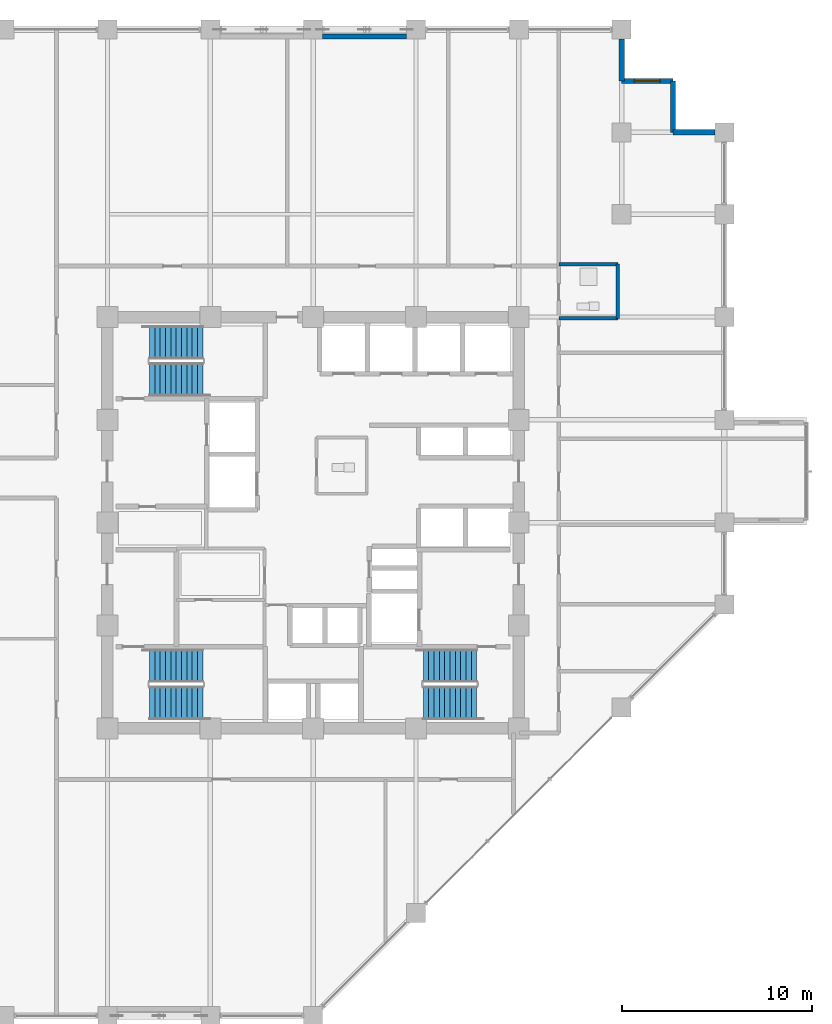
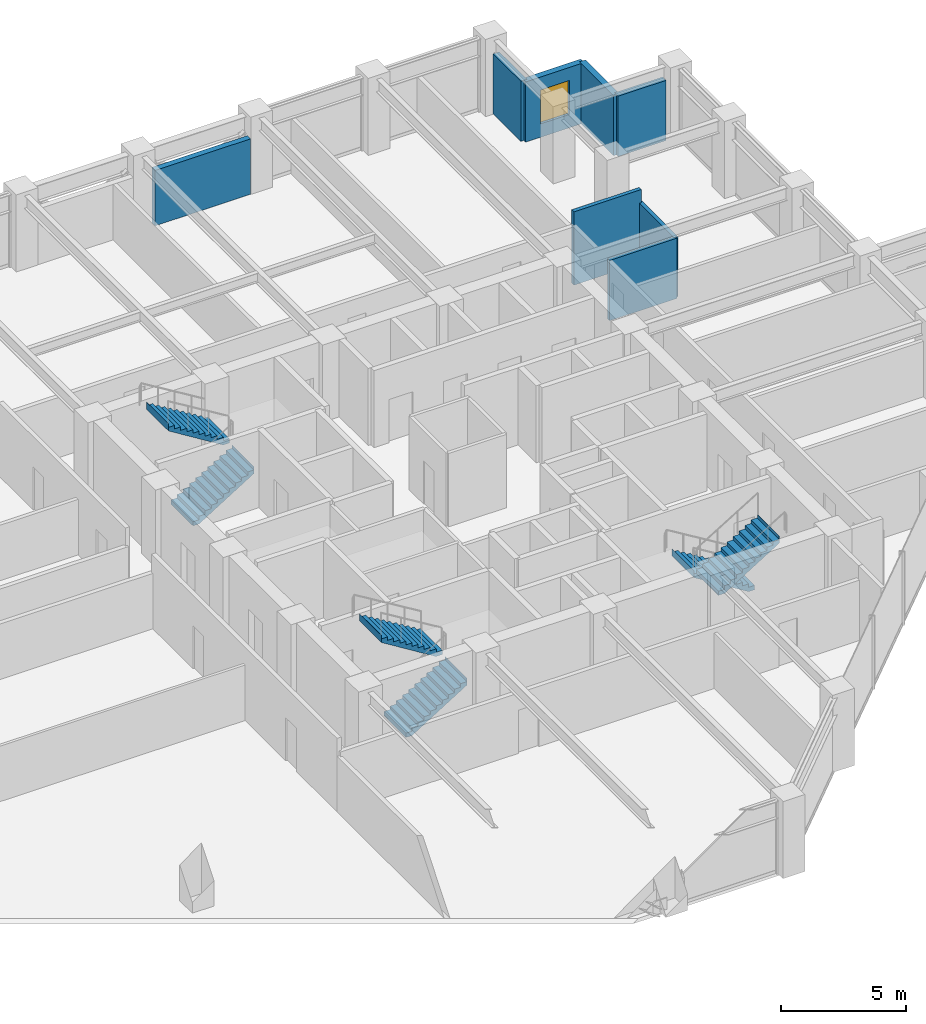
# One storey, part 22 of 26: 8 walls, 6 stair flights, 1 window, 1 opening, 3 elements without a shape of their own.
"""IFC4 building model written with IfcOpenShell, lengths in metres."""

from ifc_helpers import new_model, si_unit, direction, frame, frame_2d, origin, place, context, subcontext, project, spatial, polyline, rectangle, outline, extrude, material, layer, layer_set, type_object, element, fill, aggregate, save


model = new_model("IFC4")

# Units and contexts
model_context = context("Model", 3, precision=1e-05, world=origin(), true_north=direction((0.0, 1.0)))
body_context = subcontext(model_context, "Body", "Model", "MODEL_VIEW")
ifc_project = project(units=[si_unit("LENGTHUNIT", "METRE"), si_unit("AREAUNIT", "SQUARE_METRE"), si_unit("VOLUMEUNIT", "CUBIC_METRE"), si_unit("PLANEANGLEUNIT", "RADIAN"), si_unit("MASSUNIT", "GRAM", prefix="KILO")], contexts=[model_context])

# Site, building, storey
site_placement = place(None, origin())
site = spatial("IfcSite", under=ifc_project, at=site_placement, CompositionType="ELEMENT")
building_placement = place(site_placement, origin())
building = spatial("IfcBuilding", under=site, at=building_placement, Name="Surkhivell Harbour Commons", CompositionType="ELEMENT")
storey_placement = place(building_placement, frame((0.0, 0.0, 147.0)))
storey = spatial("IfcBuildingStorey", under=building, at=storey_placement, Name="L38", CompositionType="ELEMENT", Elevation=147.0)

# Walls
ifc_material_1 = material(Name="Pale-metal insulated precast concrete C45/55", Category="concrete")
ifc_layer_1 = layer(ifc_material_1, 0.260009765625)
ifc_layer_set_1 = layer_set([ifc_layer_1], Name="Pale-metal insulated precast concrete C45/55")
wall_type_1 = type_object("IfcWallType", Name="WAL-EXT-MTL260", PredefinedType="STANDARD", material=ifc_layer_set_1)
wall_1_placement = place(storey_placement, frame((4.902099609375, 25.5400390625, 0.0), z_axis=(0.0, 0.0, 1.0), x_axis=(-1.0, 0.0, 0.0)))
element("IfcWall", 1, at=wall_1_placement, inside=storey, type_object=wall_type_1, Name="L38 Braced-Bay Insulated Spandrel Backing N2", PredefinedType="STANDARD", context=body_context, shape_type="SweptSolid", body=[
    extrude(rectangle(XDim=4.404052734375, YDim=0.260009765625, at=frame_2d((2.2021484375, 0.0))), origin(), (0.0, 0.0, 1.0), 2.698974609375),
])
ifc_material_2 = material(Name="Terracotta-clad reinforced concrete C45/55", Category="masonry")
ifc_layer_2 = layer(ifc_material_2, 0.280029296875)
ifc_layer_set_2 = layer_set([ifc_layer_2], Name="Terracotta-clad reinforced concrete C45/55")
wall_type_2 = type_object("IfcWallType", Name="WAL-EXT-TER280", PredefinedType="STANDARD", material=ifc_layer_set_2)
wall_2_placement = place(storey_placement, frame((21.10205078125, 20.5, 0.0), z_axis=(0.0, 0.0, 1.0), x_axis=(-1.0, 0.0, 0.0)))
element("IfcWall", 2, at=wall_2_placement, inside=storey, type_object=wall_type_2, Name="L38 Serrated Corner Facade Wall 03", PredefinedType="STANDARD", context=body_context, shape_type="SweptSolid", body=[
    extrude(rectangle(XDim=2.2021484375, YDim=0.280029296875, at=frame_2d((1.10107421875, 0.0))), origin(), (0.0, 0.0, 1.0), 2.93310546875),
])
wall_3_placement = place(storey_placement, frame((18.89990234375, 20.5, 0.0), z_axis=(0.0, 0.0, 1.0), x_axis=(0.0, 1.0, 0.0)))
element("IfcWall", 3, at=wall_3_placement, inside=storey, type_object=wall_type_2, Name="L38 Serrated Corner Facade Wall 04", PredefinedType="STANDARD", context=body_context, shape_type="SweptSolid", body=[
    extrude(rectangle(XDim=2.699951171875, YDim=0.280029296875, at=frame_2d((1.35009765625, 0.0))), origin(), (0.0, 0.0, 1.0), 2.93310546875),
])

# Wall, opening, window
wall_4_placement = place(storey_placement, frame((18.89990234375, 23.199951171875, 0.0), z_axis=(0.0, 0.0, 1.0), x_axis=(-1.0, 0.0, 0.0)))
wall_4 = element("IfcWall", 4, at=wall_4_placement, inside=storey, type_object=wall_type_2, Name="L38 Serrated Corner Facade Wall 05", PredefinedType="STANDARD", context=body_context, shape_type="SweptSolid", body=[
    extrude(rectangle(XDim=2.699951171875, YDim=0.280029296875, at=frame_2d((1.35009765625, 0.0))), origin(), (0.0, 0.0, 1.0), 2.93310546875),
])
opening_placement = place(wall_4_placement, frame((0.675048828125, 0.0, 0.64990234375)))
opening = element("IfcOpeningElement", 5, at=opening_placement, cuts=wall_4, Name="Opening WN-08", PredefinedType="OPENING", context=body_context, shape_type="SweptSolid", body=[
    extrude(rectangle(XDim=1.35009765625, YDim=1.64990234375, at=frame_2d((0.675048828125, 0.824951171875))), frame((0.0, 0.14990234375, 0.0), z_axis=(0.0, -1.0, 0.0), x_axis=(1.0, 0.0, 0.0)), (0.0, 0.0, 1.0), 0.300048828125),
])
ifc_material_3 = material(Name="Thermal-break aluminium frame and double low-E glazing", Category="aluminium")
window_type = type_object("IfcWindowType", Name="WIN-SER-1350x1650", PartitioningType="SINGLE_PANEL", PredefinedType="WINDOW", material=ifc_material_3)
window_placement = place(opening_placement, origin())
window = element("IfcWindow", 6, at=window_placement, inside=storey, type_object=window_type, Name="L38 Serrated Alcove Window 05", OverallHeight=1.64990234375, OverallWidth=1.35009765625, PartitioningType="SINGLE_PANEL", PredefinedType="WINDOW", context=body_context, shape_type="SweptSolid", body=[
    extrude(rectangle(XDim=1.35009765625, YDim=1.64990234375, at=frame_2d((0.675048828125, 0.824951171875))), frame((0.0, 0.030029296875, 0.0), z_axis=(0.0, -1.0, 0.0), x_axis=(1.0, 0.0, 0.0)), (0.0, 0.0, 1.0), 0.06005859375),
])
fill(opening, window)

# Walls
wall_5_placement = place(storey_placement, frame((16.199951171875, 23.199951171875, 0.0), z_axis=(0.0, 0.0, 1.0), x_axis=(0.0, 1.0, 0.0)))
element("IfcWall", 7, at=wall_5_placement, inside=storey, type_object=wall_type_2, Name="L38 Serrated Corner Facade Wall 06", PredefinedType="STANDARD", context=body_context, shape_type="SweptSolid", body=[
    extrude(rectangle(XDim=2.2021484375, YDim=0.280029296875, at=frame_2d((1.10107421875, 0.0))), origin(), (0.0, 0.0, 1.0), 2.93310546875),
])
ifc_material_4 = material(Name="High-density acoustic blockwork fire partition", Category="masonry")
ifc_layer_3 = layer(ifc_material_4, 0.175048828125)
ifc_layer_set_3 = layer_set([ifc_layer_3], Name="High-density acoustic blockwork fire partition")
wall_type_3 = type_object("IfcWallType", Name="WAL-INT-175", PredefinedType="PARTITIONING", material=ifc_layer_set_3)
wall_6_placement = place(storey_placement, frame((16.0, 10.72998046875, 0.0), z_axis=(0.0, 0.0, 1.0), x_axis=(0.0, 1.0, 0.0)))
element("IfcWall", 8, at=wall_6_placement, inside=storey, type_object=wall_type_3, Name="L38 East Partition BTHB", PredefinedType="PARTITIONING", context=body_context, shape_type="SweptSolid", body=[
    extrude(rectangle(XDim=2.85009765625, YDim=0.175048828125, at=frame_2d((1.425048828125, 0.0))), origin(), (0.0, 0.0, 1.0), 2.93310546875),
])
wall_7_placement = place(storey_placement, frame((12.89990234375, 13.580078125, 0.0), z_axis=(0.0, 0.0, 1.0), x_axis=(1.0, 0.0, 0.0)))
element("IfcWall", 9, at=wall_7_placement, inside=storey, type_object=wall_type_3, Name="L38 East Partition BTHN", PredefinedType="PARTITIONING", context=body_context, shape_type="SweptSolid", body=[
    extrude(rectangle(XDim=3.10009765625, YDim=0.175048828125, at=frame_2d((1.550048828125, 0.0))), origin(), (0.0, 0.0, 1.0), 3.570068359375),
])
wall_8_placement = place(storey_placement, frame((12.89990234375, 10.72998046875, 0.0), z_axis=(0.0, 0.0, 1.0), x_axis=(1.0, 0.0, 0.0)))
element("IfcWall", 10, at=wall_8_placement, inside=storey, type_object=wall_type_3, Name="L38 East Partition BTHS", PredefinedType="PARTITIONING", context=body_context, shape_type="SweptSolid", body=[
    extrude(rectangle(XDim=3.10009765625, YDim=0.175048828125, at=frame_2d((1.550048828125, 0.0))), origin(), (0.0, 0.0, 1.0), 2.93310546875),
])

# Stair, stair flights
ifc_material_5 = material(Name="Precast concrete C45/55", Category="concrete")
stair_type = type_object("IfcStairType", Name="STR-DL-375", PredefinedType="HALF_TURN_STAIR", material=ifc_material_5)
stair_1_placement = place(storey_placement, origin())
stair_1 = element("IfcStair", 11, at=stair_1_placement, inside=storey, type_object=stair_type, Name="L38 Core Exit Stair ST1", PredefinedType="HALF_TURN_STAIR")
stair_flight_type = type_object("IfcStairFlightType", Name="STF-DL-375", PredefinedType="STRAIGHT", material=ifc_material_5)
stair_flight_1_placement = place(storey_placement, frame((-8.590087890625, 7.514892578125, 0.0), z_axis=(0.0, 0.0, 1.0), x_axis=(1.0, 0.0, 0.0)))
stair_flight_1 = element("IfcStairFlight", 12, at=stair_flight_1_placement, type_object=stair_flight_type, Name="ST1 flight 1", NumberOfRisers=11, NumberOfTreads=10, PredefinedType="STRAIGHT", RiserHeight=0.170454545, TreadLength=0.28, context=body_context, shape_type="SweptSolid", body=[
    extrude(outline(polyline([(-0.0029296875, -0.034912109375), (-0.0029296875, 0.0), (0.0, 0.0), (0.0, 0.17041015625), (0.280029296875, 0.17041015625), (0.280029296875, 0.3408203125), (0.56005859375, 0.3408203125), (0.56005859375, 0.511474609375), (0.840087890625, 0.511474609375), (0.840087890625, 0.681884765625), (1.1201171875, 0.681884765625), (1.1201171875, 0.852294921875), (1.39990234375, 0.852294921875), (1.39990234375, 1.022705078125), (1.679931640625, 1.022705078125), (1.679931640625, 1.193115234375), (1.9599609375, 1.193115234375), (1.9599609375, 1.363525390625), (2.239990234375, 1.363525390625), (2.239990234375, 1.5341796875), (2.52001953125, 1.5341796875), (2.52001953125, 1.70458984375), (2.800048828125, 1.70458984375), (2.800048828125, 1.875), (2.802978515625, 1.875), (2.802978515625, 1.529052734375), (0.288330078125, -0.034912109375), (-0.0029296875, -0.034912109375)])), frame((0.0, 0.875, 0.0), z_axis=(0.0, -1.0, 0.0), x_axis=(1.0, 0.0, 0.0)), (0.0, 0.0, 1.0), 1.75),
])
stair_flight_2_placement = place(storey_placement, frame((-5.7900390625, 9.465087890625, 1.875), z_axis=(0.0, 0.0, 1.0), x_axis=(-1.0, 0.0, 0.0)))
stair_flight_2 = element("IfcStairFlight", 13, at=stair_flight_2_placement, type_object=stair_flight_type, Name="ST1 flight 2", NumberOfRisers=11, NumberOfTreads=10, PredefinedType="STRAIGHT", RiserHeight=0.170454545, TreadLength=0.28, context=body_context, shape_type="SweptSolid", body=[
    extrude(outline(polyline([(-0.0029296875, -0.034912109375), (-0.0029296875, 0.0), (0.0, 0.0), (0.0, 0.17041015625), (0.280029296875, 0.17041015625), (0.280029296875, 0.3408203125), (0.56005859375, 0.3408203125), (0.56005859375, 0.511474609375), (0.840087890625, 0.511474609375), (0.840087890625, 0.681884765625), (1.1201171875, 0.681884765625), (1.1201171875, 0.852294921875), (1.39990234375, 0.852294921875), (1.39990234375, 1.022705078125), (1.679931640625, 1.022705078125), (1.679931640625, 1.193115234375), (1.9599609375, 1.193115234375), (1.9599609375, 1.363525390625), (2.239990234375, 1.363525390625), (2.239990234375, 1.5341796875), (2.52001953125, 1.5341796875), (2.52001953125, 1.70458984375), (2.800048828125, 1.70458984375), (2.800048828125, 1.875), (2.802978515625, 1.875), (2.802978515625, 1.529052734375), (0.288330078125, -0.034912109375), (-0.0029296875, -0.034912109375)])), frame((0.0, 0.875, 0.0), z_axis=(0.0, -1.0, 0.0), x_axis=(1.0, 0.0, 0.0)), (0.0, 0.0, 1.0), 1.75),
])
aggregate(stair_1, [stair_flight_1, stair_flight_2])

stair_2_placement = place(storey_placement, origin())
stair_2 = element("IfcStair", 14, at=stair_2_placement, inside=storey, type_object=stair_type, Name="L38 Core Exit Stair ST2", PredefinedType="HALF_TURN_STAIR")
stair_flight_3_placement = place(storey_placement, frame((8.590087890625, -7.514892578125, 0.0), z_axis=(0.0, 0.0, 1.0), x_axis=(-1.0, 0.0, 0.0)))
stair_flight_3 = element("IfcStairFlight", 15, at=stair_flight_3_placement, type_object=stair_flight_type, Name="ST2 flight 1", NumberOfRisers=11, NumberOfTreads=10, PredefinedType="STRAIGHT", RiserHeight=0.170454545, TreadLength=0.28, context=body_context, shape_type="SweptSolid", body=[
    extrude(outline(polyline([(-0.0029296875, -0.034912109375), (-0.0029296875, 0.0), (0.0, 0.0), (0.0, 0.17041015625), (0.280029296875, 0.17041015625), (0.280029296875, 0.3408203125), (0.56005859375, 0.3408203125), (0.56005859375, 0.511474609375), (0.840087890625, 0.511474609375), (0.840087890625, 0.681884765625), (1.1201171875, 0.681884765625), (1.1201171875, 0.852294921875), (1.39990234375, 0.852294921875), (1.39990234375, 1.022705078125), (1.679931640625, 1.022705078125), (1.679931640625, 1.193115234375), (1.9599609375, 1.193115234375), (1.9599609375, 1.363525390625), (2.239990234375, 1.363525390625), (2.239990234375, 1.5341796875), (2.52001953125, 1.5341796875), (2.52001953125, 1.70458984375), (2.800048828125, 1.70458984375), (2.800048828125, 1.875), (2.802978515625, 1.875), (2.802978515625, 1.529052734375), (0.288330078125, -0.034912109375), (-0.0029296875, -0.034912109375)])), frame((0.0, 0.875, 0.0), z_axis=(0.0, -1.0, 0.0), x_axis=(1.0, 0.0, 0.0)), (0.0, 0.0, 1.0), 1.75),
])
stair_flight_4_placement = place(storey_placement, frame((5.7900390625, -9.465087890625, 1.875), z_axis=(0.0, 0.0, 1.0), x_axis=(1.0, 0.0, 0.0)))
stair_flight_4 = element("IfcStairFlight", 16, at=stair_flight_4_placement, type_object=stair_flight_type, Name="ST2 flight 2", NumberOfRisers=11, NumberOfTreads=10, PredefinedType="STRAIGHT", RiserHeight=0.170454545, TreadLength=0.28, context=body_context, shape_type="SweptSolid", body=[
    extrude(outline(polyline([(-0.0029296875, -0.034912109375), (-0.0029296875, 0.0), (0.0, 0.0), (0.0, 0.17041015625), (0.280029296875, 0.17041015625), (0.280029296875, 0.3408203125), (0.56005859375, 0.3408203125), (0.56005859375, 0.511474609375), (0.840087890625, 0.511474609375), (0.840087890625, 0.681884765625), (1.1201171875, 0.681884765625), (1.1201171875, 0.852294921875), (1.39990234375, 0.852294921875), (1.39990234375, 1.022705078125), (1.679931640625, 1.022705078125), (1.679931640625, 1.193115234375), (1.9599609375, 1.193115234375), (1.9599609375, 1.363525390625), (2.239990234375, 1.363525390625), (2.239990234375, 1.5341796875), (2.52001953125, 1.5341796875), (2.52001953125, 1.70458984375), (2.800048828125, 1.70458984375), (2.800048828125, 1.875), (2.802978515625, 1.875), (2.802978515625, 1.529052734375), (0.288330078125, -0.034912109375), (-0.0029296875, -0.034912109375)])), frame((0.0, 0.875, 0.0), z_axis=(0.0, -1.0, 0.0), x_axis=(1.0, 0.0, 0.0)), (0.0, 0.0, 1.0), 1.75),
])
aggregate(stair_2, [stair_flight_3, stair_flight_4])

stair_3_placement = place(storey_placement, origin())
stair_3 = element("IfcStair", 17, at=stair_3_placement, inside=storey, type_object=stair_type, Name="L38 Core Exit Stair ST3", PredefinedType="HALF_TURN_STAIR")
stair_flight_5_placement = place(storey_placement, frame((-8.590087890625, -9.465087890625, 0.0), z_axis=(0.0, 0.0, 1.0), x_axis=(1.0, 0.0, 0.0)))
stair_flight_5 = element("IfcStairFlight", 18, at=stair_flight_5_placement, type_object=stair_flight_type, Name="ST3 flight 1", NumberOfRisers=11, NumberOfTreads=10, PredefinedType="STRAIGHT", RiserHeight=0.170454545, TreadLength=0.28, context=body_context, shape_type="SweptSolid", body=[
    extrude(outline(polyline([(-0.0029296875, -0.034912109375), (-0.0029296875, 0.0), (0.0, 0.0), (0.0, 0.17041015625), (0.280029296875, 0.17041015625), (0.280029296875, 0.3408203125), (0.56005859375, 0.3408203125), (0.56005859375, 0.511474609375), (0.840087890625, 0.511474609375), (0.840087890625, 0.681884765625), (1.1201171875, 0.681884765625), (1.1201171875, 0.852294921875), (1.39990234375, 0.852294921875), (1.39990234375, 1.022705078125), (1.679931640625, 1.022705078125), (1.679931640625, 1.193115234375), (1.9599609375, 1.193115234375), (1.9599609375, 1.363525390625), (2.239990234375, 1.363525390625), (2.239990234375, 1.5341796875), (2.52001953125, 1.5341796875), (2.52001953125, 1.70458984375), (2.800048828125, 1.70458984375), (2.800048828125, 1.875), (2.802978515625, 1.875), (2.802978515625, 1.529052734375), (0.288330078125, -0.034912109375), (-0.0029296875, -0.034912109375)])), frame((0.0, 0.875, 0.0), z_axis=(0.0, -1.0, 0.0), x_axis=(1.0, 0.0, 0.0)), (0.0, 0.0, 1.0), 1.75),
])
stair_flight_6_placement = place(storey_placement, frame((-5.7900390625, -7.514892578125, 1.875), z_axis=(0.0, 0.0, 1.0), x_axis=(-1.0, 0.0, 0.0)))
stair_flight_6 = element("IfcStairFlight", 19, at=stair_flight_6_placement, type_object=stair_flight_type, Name="ST3 flight 2", NumberOfRisers=11, NumberOfTreads=10, PredefinedType="STRAIGHT", RiserHeight=0.170454545, TreadLength=0.28, context=body_context, shape_type="SweptSolid", body=[
    extrude(outline(polyline([(-0.0029296875, -0.034912109375), (-0.0029296875, 0.0), (0.0, 0.0), (0.0, 0.17041015625), (0.280029296875, 0.17041015625), (0.280029296875, 0.3408203125), (0.56005859375, 0.3408203125), (0.56005859375, 0.511474609375), (0.840087890625, 0.511474609375), (0.840087890625, 0.681884765625), (1.1201171875, 0.681884765625), (1.1201171875, 0.852294921875), (1.39990234375, 0.852294921875), (1.39990234375, 1.022705078125), (1.679931640625, 1.022705078125), (1.679931640625, 1.193115234375), (1.9599609375, 1.193115234375), (1.9599609375, 1.363525390625), (2.239990234375, 1.363525390625), (2.239990234375, 1.5341796875), (2.52001953125, 1.5341796875), (2.52001953125, 1.70458984375), (2.800048828125, 1.70458984375), (2.800048828125, 1.875), (2.802978515625, 1.875), (2.802978515625, 1.529052734375), (0.288330078125, -0.034912109375), (-0.0029296875, -0.034912109375)])), frame((0.0, 0.875, 0.0), z_axis=(0.0, -1.0, 0.0), x_axis=(1.0, 0.0, 0.0)), (0.0, 0.0, 1.0), 1.75),
])
aggregate(stair_3, [stair_flight_5, stair_flight_6])

save(model, "model.ifc")
